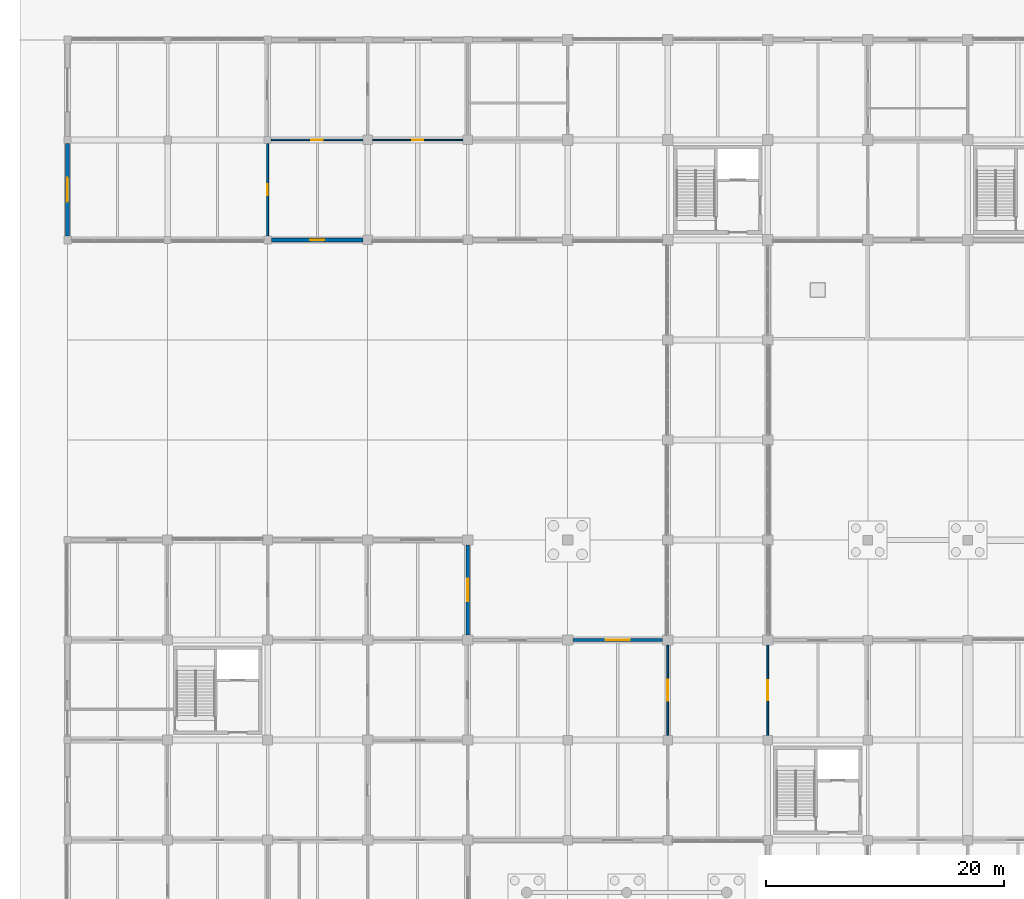
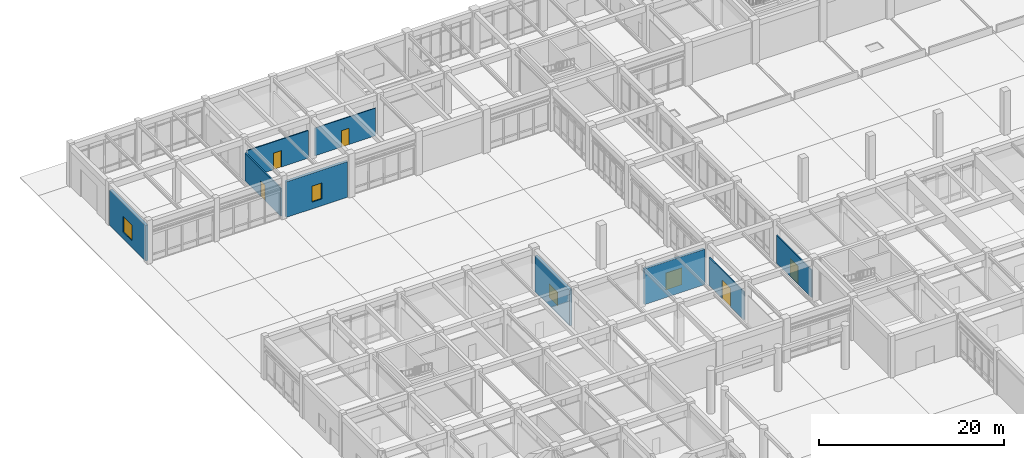
# One storey, part 72 of 91: 9 walls, 5 doors, 4 windows, 9 openings.
"""IFC4 building model written with IfcOpenShell, lengths in metres."""

from ifc_helpers import new_model, si_unit, direction, frame, frame_2d, origin, place, context, subcontext, project, spatial, rectangle, extrude, material, layer, layer_set, type_object, element, fill, save


model = new_model("IFC4")

# Units and contexts
model_context = context("Model", 3, precision=1e-05, world=origin(), true_north=direction((0.0, 1.0)))
body_context = subcontext(model_context, "Body", "Model", "MODEL_VIEW")
ifc_project = project(units=[si_unit("LENGTHUNIT", "METRE"), si_unit("AREAUNIT", "SQUARE_METRE"), si_unit("VOLUMEUNIT", "CUBIC_METRE"), si_unit("PLANEANGLEUNIT", "RADIAN"), si_unit("MASSUNIT", "GRAM", prefix="KILO")], contexts=[model_context])

# Site, building, storey
site_placement = place(None, origin())
site = spatial("IfcSite", under=ifc_project, at=site_placement, CompositionType="ELEMENT")
building_placement = place(site_placement, origin())
building = spatial("IfcBuilding", under=site, at=building_placement, Name="Porcellanite Civic Hall", CompositionType="ELEMENT")
storey_placement = place(building_placement, origin())
storey = spatial("IfcBuildingStorey", under=building, at=storey_placement, Name="L00", CompositionType="ELEMENT", Elevation=0.0)

# Wall, opening, window
ifc_material_1 = material(Name="Precast concrete N40 (40 MPa)", Category="concrete")
ifc_layer_1 = layer(ifc_material_1, 0.280029296875)
ifc_layer_set_1 = layer_set([ifc_layer_1], Name="Precast concrete N40 (40 MPa)")
wall_type_1 = type_object("IfcWallType", Name="EW-CLO280", PredefinedType="SOLIDWALL", material=ifc_layer_set_1)
wall_1_placement = place(storey_placement, frame((42.426025390625, 67.199951171875, 0.0), z_axis=(0.0, 0.0, 1.0), x_axis=(1.0, 0.0, 0.0)))
wall_1 = element("IfcWall", 1, at=wall_1_placement, inside=storey, type_object=wall_type_1, Name="Exterior wall L00 N 6-8", PredefinedType="SOLIDWALL", context=body_context, shape_type="SweptSolid", body=[
    extrude(rectangle(XDim=7.548095703125, YDim=0.280029296875, at=frame_2d((3.77392578125, 0.0))), origin(), (0.0, 0.0, 1.0), 4.699951171875),
])
opening_1_placement = place(wall_1_placement, frame((2.77392578125, 0.0, 0.89990234375)))
opening_1 = element("IfcOpeningElement", 2, at=opening_1_placement, cuts=wall_1, Name="Opening W20", PredefinedType="OPENING", context=body_context, shape_type="SweptSolid", body=[
    extrude(rectangle(XDim=2.0, YDim=2.25, at=frame_2d((1.0, 1.125))), frame((0.0, 0.14013671875, 0.0), z_axis=(0.0, -1.0, 0.0), x_axis=(1.0, 0.0, 0.0)), (0.0, 0.0, 1.0), 0.280029296875),
])
ifc_material_2 = material(Name="Cyclone laminated low-E glazing in anodised aluminium frame", Category="aluminium")
window_type_1 = type_object("IfcWindowType", Name="WN-20", PartitioningType="DOUBLE_PANEL_VERTICAL", PredefinedType="WINDOW", material=ifc_material_2)
window_1_placement = place(opening_1_placement, origin())
window_1 = element("IfcWindow", 3, at=window_1_placement, inside=storey, type_object=window_type_1, Name="Window W20 L00 N 6-8", OverallHeight=2.25, OverallWidth=2.0, PartitioningType="SINGLE_PANEL", PredefinedType="WINDOW", context=body_context, shape_type="SweptSolid", body=[
    extrude(rectangle(XDim=2.0, YDim=2.25, at=frame_2d((1.0, 1.125))), frame((0.0, 0.030029296875, 0.0), z_axis=(0.0, -1.0, 0.0), x_axis=(1.0, 0.0, 0.0)), (0.0, 0.0, 1.0), 0.06005859375),
])
fill(opening_1, window_1)

ifc_material_3 = material(Name="Precast concrete N40 (40 MPa)", Category="concrete")
ifc_layer_2 = layer(ifc_material_3, 0.320068359375)
ifc_layer_set_2 = layer_set([ifc_layer_2], Name="Precast concrete N40 (40 MPa)")
wall_type_2 = type_object("IfcWallType", Name="EW-COM320", PredefinedType="SOLIDWALL", material=ifc_layer_set_2)
wall_2_placement = place(storey_placement, frame((0.0, 101.1259765625, 0.0), z_axis=(0.0, 0.0, 1.0), x_axis=(0.0, 1.0, 0.0)))
wall_2 = element("IfcWall", 4, at=wall_2_placement, inside=storey, type_object=wall_type_2, Name="Exterior wall L00 W 1-13", PredefinedType="SOLIDWALL", context=body_context, shape_type="SweptSolid", body=[
    extrude(rectangle(XDim=7.77294921875, YDim=0.320068359375, at=frame_2d((3.886474609375, 0.0))), origin(), (0.0, 0.0, 1.0), 4.699951171875),
])
opening_2_placement = place(wall_2_placement, frame((2.885986328125, 0.0, 0.89990234375)))
opening_2 = element("IfcOpeningElement", 5, at=opening_2_placement, cuts=wall_2, Name="Opening W06", PredefinedType="OPENING", context=body_context, shape_type="SweptSolid", body=[
    extrude(rectangle(XDim=2.0, YDim=2.10009765625, at=frame_2d((1.0, 1.050048828125))), frame((0.0, 0.16015625, 0.0), z_axis=(0.0, -1.0, 0.0), x_axis=(1.0, 0.0, 0.0)), (0.0, 0.0, 1.0), 0.320068359375),
])
ifc_material_4 = material(Name="Cyclone laminated low-E glazing in anodised aluminium frame", Category="aluminium")
window_type_2 = type_object("IfcWindowType", Name="WN-06", PartitioningType="DOUBLE_PANEL_VERTICAL", PredefinedType="WINDOW", material=ifc_material_4)
window_2_placement = place(opening_2_placement, origin())
window_2 = element("IfcWindow", 6, at=window_2_placement, inside=storey, type_object=window_type_2, Name="Window W06 L00 W 1-13", OverallHeight=2.10009765625, OverallWidth=2.0, PartitioningType="SINGLE_PANEL", PredefinedType="WINDOW", context=body_context, shape_type="SweptSolid", body=[
    extrude(rectangle(XDim=2.0, YDim=2.10009765625, at=frame_2d((1.0, 1.050048828125))), frame((0.0, 0.030029296875, 0.0), z_axis=(0.0, -1.0, 0.0), x_axis=(1.0, 0.0, 0.0)), (0.0, 0.0, 1.0), 0.06005859375),
])
fill(opening_2, window_2)

wall_3_placement = place(storey_placement, frame((24.799072265625, 100.800048828125, 0.0), z_axis=(0.0, 0.0, 1.0), x_axis=(-1.0, 0.0, 0.0)))
wall_3 = element("IfcWall", 7, at=wall_3_placement, inside=storey, type_object=wall_type_2, Name="Exterior wall L00 S 3-13", PredefinedType="SOLIDWALL", context=body_context, shape_type="SweptSolid", body=[
    extrude(rectangle(XDim=7.673095703125, YDim=0.320068359375, at=frame_2d((3.83642578125, 0.0))), origin(), (0.0, 0.0, 1.0), 4.699951171875),
])
opening_3_placement = place(wall_3_placement, frame((3.236083984375, 0.0, 0.89990234375)))
opening_3 = element("IfcOpeningElement", 8, at=opening_3_placement, cuts=wall_3, Name="Opening W08", PredefinedType="OPENING", context=body_context, shape_type="SweptSolid", body=[
    extrude(rectangle(XDim=1.199951171875, YDim=2.10009765625, at=frame_2d((0.60009765625, 1.050048828125))), frame((0.0, 0.16015625, 0.0), z_axis=(0.0, -1.0, 0.0), x_axis=(1.0, 0.0, 0.0)), (0.0, 0.0, 1.0), 0.320068359375),
])
ifc_material_5 = material(Name="Cyclone laminated low-E glazing in anodised aluminium frame", Category="aluminium")
window_type_3 = type_object("IfcWindowType", Name="WN-08", PartitioningType="SINGLE_PANEL", PredefinedType="WINDOW", material=ifc_material_5)
window_3_placement = place(opening_3_placement, origin())
window_3 = element("IfcWindow", 9, at=window_3_placement, inside=storey, type_object=window_type_3, Name="Window W08 L00 S 3-13", OverallHeight=2.10009765625, OverallWidth=1.199951171875, PartitioningType="SINGLE_PANEL", PredefinedType="WINDOW", context=body_context, shape_type="SweptSolid", body=[
    extrude(rectangle(XDim=1.199951171875, YDim=2.10009765625, at=frame_2d((0.60009765625, 1.050048828125))), frame((0.0, 0.030029296875, 0.0), z_axis=(0.0, -1.0, 0.0), x_axis=(1.0, 0.0, 0.0)), (0.0, 0.0, 1.0), 0.06005859375),
])
fill(opening_3, window_3)

wall_4_placement = place(storey_placement, frame((33.60009765625, 75.174072265625, 0.0), z_axis=(0.0, 0.0, 1.0), x_axis=(0.0, -1.0, 0.0)))
wall_4 = element("IfcWall", 10, at=wall_4_placement, inside=storey, type_object=wall_type_2, Name="Exterior wall L00 E 4-9", PredefinedType="SOLIDWALL", context=body_context, shape_type="SweptSolid", body=[
    extrude(rectangle(XDim=7.548095703125, YDim=0.320068359375, at=frame_2d((3.77392578125, 0.0))), origin(), (0.0, 0.0, 1.0), 4.699951171875),
])
opening_4_placement = place(wall_4_placement, frame((2.823974609375, 0.0, 0.89990234375)))
opening_4 = element("IfcOpeningElement", 11, at=opening_4_placement, cuts=wall_4, Name="Opening W15", PredefinedType="OPENING", context=body_context, shape_type="SweptSolid", body=[
    extrude(rectangle(XDim=1.89990234375, YDim=1.75, at=frame_2d((0.949951171875, 0.875))), frame((0.0, 0.16015625, 0.0), z_axis=(0.0, -1.0, 0.0), x_axis=(1.0, 0.0, 0.0)), (0.0, 0.0, 1.0), 0.320068359375),
])
ifc_material_6 = material(Name="Cyclone laminated low-E glazing in anodised aluminium frame", Category="aluminium")
window_type_4 = type_object("IfcWindowType", Name="WN-15", PartitioningType="DOUBLE_PANEL_VERTICAL", PredefinedType="WINDOW", material=ifc_material_6)
window_4_placement = place(opening_4_placement, origin())
window_4 = element("IfcWindow", 12, at=window_4_placement, inside=storey, type_object=window_type_4, Name="Window W15 L00 E 4-9", OverallHeight=1.75, OverallWidth=1.89990234375, PartitioningType="SINGLE_PANEL", PredefinedType="WINDOW", context=body_context, shape_type="SweptSolid", body=[
    extrude(rectangle(XDim=1.89990234375, YDim=1.75, at=frame_2d((0.949951171875, 0.875))), frame((0.0, 0.030029296875, 0.0), z_axis=(0.0, -1.0, 0.0), x_axis=(1.0, 0.0, 0.0)), (0.0, 0.0, 1.0), 0.06005859375),
])
fill(opening_4, window_4)

# Wall, opening, door
ifc_material_7 = material(Name="Fire-rated plasterboard on light-gauge steel studs", Category="steel")
ifc_layer_3 = layer(ifc_material_7, 0.159912109375)
ifc_layer_set_3 = layer_set([ifc_layer_3], Name="Fire-rated plasterboard on light-gauge steel studs")
wall_type_3 = type_object("IfcWallType", Name="IW-FR160", PredefinedType="PARTITIONING", material=ifc_layer_set_3)
wall_5_placement = place(storey_placement, frame((16.800048828125, 101.126953125, 0.0), z_axis=(0.0, 0.0, 1.0), x_axis=(0.0, 1.0, 0.0)))
wall_5 = element("IfcWall", 13, at=wall_5_placement, inside=storey, type_object=wall_type_3, Name="Fire compartment wall L00 V 2-13", PredefinedType="PARTITIONING", context=body_context, shape_type="SweptSolid", body=[
    extrude(rectangle(XDim=7.77099609375, YDim=0.159912109375, at=frame_2d((3.885498046875, 0.0))), origin(), (0.0, 0.0, 1.0), 3.659912109375),
])
opening_5_placement = place(wall_5_placement, frame((3.43505859375, 0.0, 0.0)))
opening_5 = element("IfcOpeningElement", 14, at=opening_5_placement, cuts=wall_5, Name="Opening D-L00-069", PredefinedType="OPENING", context=body_context, shape_type="SweptSolid", body=[
    extrude(rectangle(XDim=0.89990234375, YDim=2.050048828125, at=frame_2d((0.449951171875, 1.02490234375))), frame((0.0, 0.080078125, 0.0), z_axis=(0.0, -1.0, 0.0), x_axis=(1.0, 0.0, 0.0)), (0.0, 0.0, 1.0), 0.159912109375),
])
ifc_material_8 = material(Name="Fire-rated steel riser access leaf", Category="steel")
door_type_1 = type_object("IfcDoorType", Name="DR-FD090", OperationType="NOTDEFINED", PredefinedType="DOOR", material=ifc_material_8)
door_1_placement = place(opening_5_placement, origin())
door_1 = element("IfcDoor", 15, at=door_1_placement, inside=storey, type_object=door_type_1, Name="Interior door D-L00-069", OperationType="SINGLE_SWING_RIGHT", OverallHeight=2.050048828125, OverallWidth=0.89990234375, PredefinedType="DOOR", context=body_context, shape_type="SweptSolid", body=[
    extrude(rectangle(XDim=0.89990234375, YDim=2.050048828125, at=frame_2d((0.449951171875, 1.02490234375))), frame((0.0, 0.02490234375, 0.0), z_axis=(0.0, -1.0, 0.0), x_axis=(1.0, 0.0, 0.0)), (0.0, 0.0, 1.0), 0.050048828125),
])
fill(opening_5, door_1)

ifc_material_9 = material(Name="Insulated acoustic plasterboard on light-gauge steel studs", Category="steel")
ifc_layer_4 = layer(ifc_material_9, 0.094970703125)
ifc_layer_set_4 = layer_set([ifc_layer_4], Name="Insulated acoustic plasterboard on light-gauge steel studs")
wall_type_4 = type_object("IfcWallType", Name="IW-PT095", PredefinedType="PARTITIONING", material=ifc_layer_set_4)
wall_6_placement = place(storey_placement, frame((25.60205078125, 109.199951171875, 0.0), z_axis=(0.0, 0.0, 1.0), x_axis=(1.0, 0.0, 0.0)))
wall_6 = element("IfcWall", 16, at=wall_6_placement, inside=storey, type_object=wall_type_4, Name="Partition L00 H 4-13", PredefinedType="PARTITIONING", context=body_context, shape_type="SweptSolid", body=[
    extrude(rectangle(XDim=7.595947265625, YDim=0.094970703125, at=frame_2d((3.7978515625, 0.0))), origin(), (0.0, 0.0, 1.0), 3.659912109375),
])
opening_6_placement = place(wall_6_placement, frame((3.327880859375, 0.0, 0.0)))
opening_6 = element("IfcOpeningElement", 17, at=opening_6_placement, cuts=wall_6, Name="Opening D-L00-046", PredefinedType="OPENING", context=body_context, shape_type="SweptSolid", body=[
    extrude(rectangle(XDim=0.93994140625, YDim=2.14990234375, at=frame_2d((0.469970703125, 1.074951171875))), frame((0.0, 0.04736328125, 0.0), z_axis=(0.0, -1.0, 0.0), x_axis=(1.0, 0.0, 0.0)), (0.0, 0.0, 1.0), 0.094970703125),
])
ifc_material_10 = material(Name="Solid-core spotted-gum timber", Category="wood")
door_type_2 = type_object("IfcDoorType", Name="DR-RM094", OperationType="NOTDEFINED", PredefinedType="DOOR", material=ifc_material_10)
door_2_placement = place(opening_6_placement, origin())
door_2 = element("IfcDoor", 18, at=door_2_placement, inside=storey, type_object=door_type_2, Name="Interior door D-L00-046", OperationType="SINGLE_SWING_RIGHT", OverallHeight=2.14990234375, OverallWidth=0.93994140625, PredefinedType="DOOR", context=body_context, shape_type="SweptSolid", body=[
    extrude(rectangle(XDim=0.93994140625, YDim=2.14990234375, at=frame_2d((0.469970703125, 1.074951171875))), frame((0.0, 0.02490234375, 0.0), z_axis=(0.0, -1.0, 0.0), x_axis=(1.0, 0.0, 0.0)), (0.0, 0.0, 1.0), 0.050048828125),
])
fill(opening_6, door_2)

ifc_material_11 = material(Name="Insulated acoustic plasterboard on light-gauge steel studs", Category="steel")
ifc_layer_5 = layer(ifc_material_11, 0.125)
ifc_layer_set_5 = layer_set([ifc_layer_5], Name="Insulated acoustic plasterboard on light-gauge steel studs")
wall_type_5 = type_object("IfcWallType", Name="IW-PT125", PredefinedType="PARTITIONING", material=ifc_layer_set_5)
wall_7_placement = place(storey_placement, frame((17.10205078125, 109.199951171875, 0.0), z_axis=(0.0, 0.0, 1.0), x_axis=(1.0, 0.0, 0.0)))
wall_7 = element("IfcWall", 19, at=wall_7_placement, inside=storey, type_object=wall_type_5, Name="Partition L00 H 3-13", PredefinedType="PARTITIONING", context=body_context, shape_type="SweptSolid", body=[
    extrude(rectangle(XDim=7.696044921875, YDim=0.125, at=frame_2d((3.84814453125, 0.0))), origin(), (0.0, 0.0, 1.0), 3.659912109375),
])
opening_7_placement = place(wall_7_placement, frame((3.367919921875, 0.0, 0.0)))
opening_7 = element("IfcOpeningElement", 20, at=opening_7_placement, cuts=wall_7, Name="Opening D-L00-045", PredefinedType="OPENING", context=body_context, shape_type="SweptSolid", body=[
    extrude(rectangle(XDim=0.9599609375, YDim=2.179931640625, at=frame_2d((0.47998046875, 1.08984375))), frame((0.0, 0.0625, 0.0), z_axis=(0.0, -1.0, 0.0), x_axis=(1.0, 0.0, 0.0)), (0.0, 0.0, 1.0), 0.125),
])
ifc_material_12 = material(Name="Solid-core spotted-gum timber", Category="wood")
door_type_3 = type_object("IfcDoorType", Name="DR-RM096", OperationType="NOTDEFINED", PredefinedType="DOOR", material=ifc_material_12)
door_3_placement = place(opening_7_placement, origin())
door_3 = element("IfcDoor", 21, at=door_3_placement, inside=storey, type_object=door_type_3, Name="Interior door D-L00-045", OperationType="SINGLE_SWING_LEFT", OverallHeight=2.179931640625, OverallWidth=0.9599609375, PredefinedType="DOOR", context=body_context, shape_type="SweptSolid", body=[
    extrude(rectangle(XDim=0.9599609375, YDim=2.179931640625, at=frame_2d((0.47998046875, 1.08984375))), frame((0.0, 0.02490234375, 0.0), z_axis=(0.0, -1.0, 0.0), x_axis=(1.0, 0.0, 0.0)), (0.0, 0.0, 1.0), 0.050048828125),
])
fill(opening_7, door_3)

ifc_material_13 = material(Name="Insulated acoustic plasterboard on light-gauge steel studs", Category="steel")
ifc_layer_6 = layer(ifc_material_13, 0.135009765625)
ifc_layer_set_6 = layer_set([ifc_layer_6], Name="Insulated acoustic plasterboard on light-gauge steel studs")
wall_type_6 = type_object("IfcWallType", Name="IW-PT135", PredefinedType="PARTITIONING", material=ifc_layer_set_6)
wall_8_placement = place(storey_placement, frame((58.800048828125, 59.201904296875, 0.0), z_axis=(0.0, 0.0, 1.0), x_axis=(0.0, 1.0, 0.0)))
wall_8 = element("IfcWall", 22, at=wall_8_placement, inside=storey, type_object=wall_type_6, Name="Partition L00 V 7-8", PredefinedType="PARTITIONING", context=body_context, shape_type="SweptSolid", body=[
    extrude(rectangle(XDim=7.571044921875, YDim=0.135009765625, at=frame_2d((3.78564453125, 0.0))), origin(), (0.0, 0.0, 1.0), 3.659912109375),
])
opening_8_placement = place(wall_8_placement, frame((2.93505859375, 0.0, 0.0)))
opening_8 = element("IfcOpeningElement", 23, at=opening_8_placement, cuts=wall_8, Name="Opening D-L00-078", PredefinedType="OPENING", context=body_context, shape_type="SweptSolid", body=[
    extrude(rectangle(XDim=1.699951171875, YDim=2.35009765625, at=frame_2d((0.85009765625, 1.175048828125))), frame((0.0, 0.0673828125, 0.0), z_axis=(0.0, -1.0, 0.0), x_axis=(1.0, 0.0, 0.0)), (0.0, 0.0, 1.0), 0.135009765625),
])
ifc_material_14 = material(Name="Acoustic spotted-gum timber and safety glass", Category="wood")
door_type_4 = type_object("IfcDoorType", Name="DR-AS170", OperationType="DOUBLE_DOOR_SINGLE_SWING", PredefinedType="DOOR", material=ifc_material_14)
door_4_placement = place(opening_8_placement, origin())
door_4 = element("IfcDoor", 24, at=door_4_placement, inside=storey, type_object=door_type_4, Name="Interior door D-L00-078", OperationType="DOUBLE_DOOR_SINGLE_SWING", OverallHeight=2.35009765625, OverallWidth=1.699951171875, PredefinedType="DOOR", context=body_context, shape_type="SweptSolid", body=[
    extrude(rectangle(XDim=1.699951171875, YDim=2.35009765625, at=frame_2d((0.85009765625, 1.175048828125))), frame((0.0, 0.02490234375, 0.0), z_axis=(0.0, -1.0, 0.0), x_axis=(1.0, 0.0, 0.0)), (0.0, 0.0, 1.0), 0.050048828125),
])
fill(opening_8, door_4)

ifc_material_15 = material(Name="Insulated acoustic plasterboard on light-gauge steel studs", Category="steel")
ifc_layer_7 = layer(ifc_material_15, 0.1650390625)
ifc_layer_set_7 = layer_set([ifc_layer_7], Name="Insulated acoustic plasterboard on light-gauge steel studs")
wall_type_7 = type_object("IfcWallType", Name="IW-PT165", PredefinedType="PARTITIONING", material=ifc_layer_set_7)
wall_9_placement = place(storey_placement, frame((50.39990234375, 59.201904296875, 0.0), z_axis=(0.0, 0.0, 1.0), x_axis=(0.0, 1.0, 0.0)))
wall_9 = element("IfcWall", 25, at=wall_9_placement, inside=storey, type_object=wall_type_7, Name="Partition L00 V 6-8", PredefinedType="PARTITIONING", context=body_context, shape_type="SweptSolid", body=[
    extrude(rectangle(XDim=7.571044921875, YDim=0.1650390625, at=frame_2d((3.78564453125, 0.0))), origin(), (0.0, 0.0, 1.0), 3.659912109375),
])
opening_9_placement = place(wall_9_placement, frame((2.885009765625, 0.0, 0.0)))
opening_9 = element("IfcOpeningElement", 26, at=opening_9_placement, cuts=wall_9, Name="Opening D-L00-077", PredefinedType="OPENING", context=body_context, shape_type="SweptSolid", body=[
    extrude(rectangle(XDim=1.800048828125, YDim=2.39990234375, at=frame_2d((0.89990234375, 1.199951171875))), frame((0.0, 0.08251953125, 0.0), z_axis=(0.0, -1.0, 0.0), x_axis=(1.0, 0.0, 0.0)), (0.0, 0.0, 1.0), 0.1650390625),
])
ifc_material_16 = material(Name="Acoustic spotted-gum timber and safety glass", Category="wood")
door_type_5 = type_object("IfcDoorType", Name="DR-AS180", OperationType="DOUBLE_DOOR_SINGLE_SWING", PredefinedType="DOOR", material=ifc_material_16)
door_5_placement = place(opening_9_placement, origin())
door_5 = element("IfcDoor", 27, at=door_5_placement, inside=storey, type_object=door_type_5, Name="Interior door D-L00-077", OperationType="DOUBLE_DOOR_SINGLE_SWING", OverallHeight=2.39990234375, OverallWidth=1.800048828125, PredefinedType="DOOR", context=body_context, shape_type="SweptSolid", body=[
    extrude(rectangle(XDim=1.800048828125, YDim=2.39990234375, at=frame_2d((0.89990234375, 1.199951171875))), frame((0.0, 0.02490234375, 0.0), z_axis=(0.0, -1.0, 0.0), x_axis=(1.0, 0.0, 0.0)), (0.0, 0.0, 1.0), 0.050048828125),
])
fill(opening_9, door_5)

save(model, "model.ifc")
